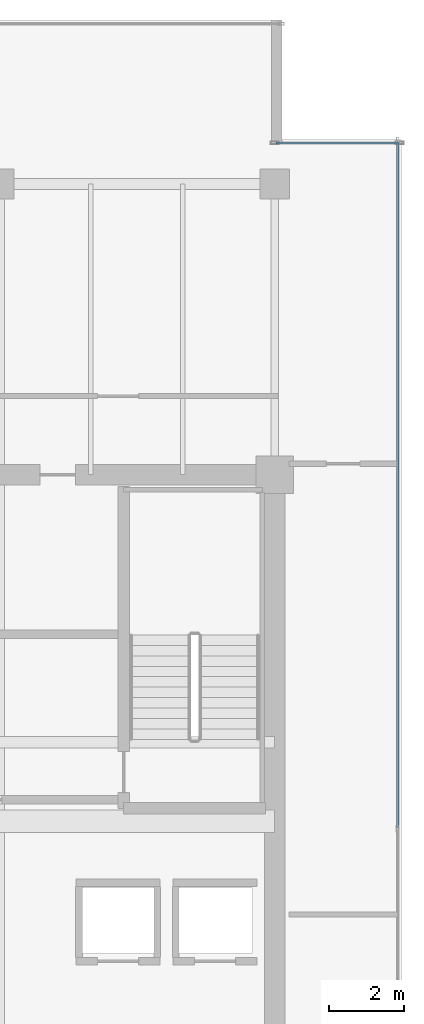
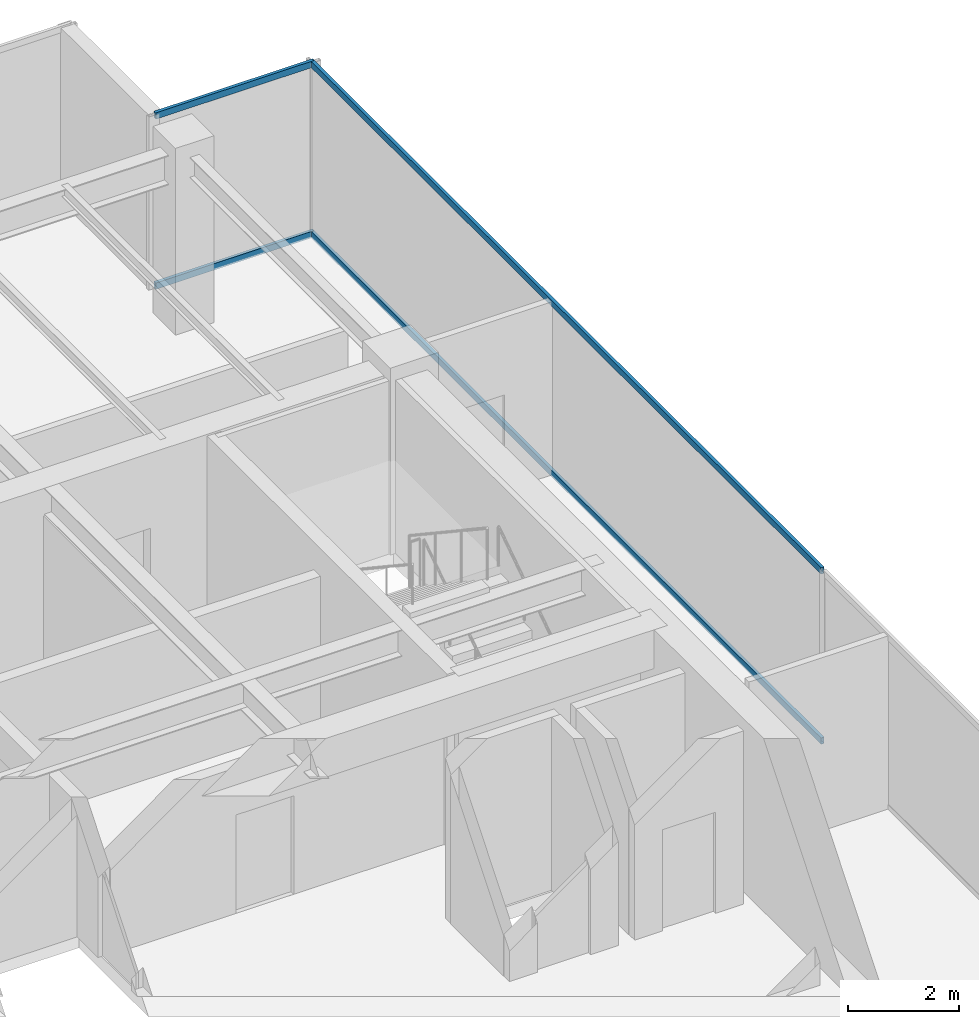
# One storey, part 25 of 33: 4 members, 2 elements without a shape of their own.
"""IFC4 building model written with IfcOpenShell, lengths in metres."""

from ifc_helpers import new_model, si_unit, direction, frame, origin, origin_2d, place, context, subcontext, project, spatial, hollow_rectangle, extrude, source, transform, mapped, material, layer, layer_set, material_profile, profile_set, type_object, type_shapes, element, aggregate, save


model = new_model("IFC4")

# Units and contexts
model_context = context("Model", 3, precision=1e-05, world=origin(), true_north=direction((0.0, 1.0)))
body_context = subcontext(model_context, "Body", "Model", "MODEL_VIEW")
ifc_project = project(units=[si_unit("LENGTHUNIT", "METRE"), si_unit("AREAUNIT", "SQUARE_METRE"), si_unit("VOLUMEUNIT", "CUBIC_METRE"), si_unit("PLANEANGLEUNIT", "RADIAN"), si_unit("MASSUNIT", "GRAM", prefix="KILO")], contexts=[model_context])

# Site, building, storey
site_placement = place(None, origin())
site = spatial("IfcSite", under=ifc_project, at=site_placement, CompositionType="ELEMENT")
building_placement = place(site_placement, origin())
building = spatial("IfcBuilding", under=site, at=building_placement, Name="Haelvirn Gate Laboratories", CompositionType="ELEMENT")
storey_placement = place(building_placement, frame((0.0, 0.0, 287.5)))
storey = spatial("IfcBuildingStorey", under=building, at=storey_placement, Name="L69", CompositionType="ELEMENT", Elevation=287.5)

# Curtain wall, members
ifc_material_1 = material(Name="Anodised bronze unitised aluminium & triple low-E glass", Category="aluminium")
ifc_layer_1 = layer(ifc_material_1, 0.181884765625, Name="CW-SYS-5")
ifc_layer_set_1 = layer_set([ifc_layer_1], Name="Anodised bronze unitised aluminium & triple low-E glass")
curtain_wall_type_1 = type_object("IfcCurtainWallType", Name="CW-SYS-5", PredefinedType="NOTDEFINED", material=ifc_layer_set_1)
curtain_wall_1_placement = place(storey_placement, origin())
curtain_wall_1 = element("IfcCurtainWall", 1, at=curtain_wall_1_placement, inside=storey, type_object=curtain_wall_type_1, Name="L69 Unitised Curtain Wall CW-L69-P0-E08-1", PredefinedType="NOTDEFINED")
ifc_material_2 = material(Name="Extruded aluminium 6063-T6 (anodised bronze)", Category="aluminium")
ifc_material_profile = material_profile(ifc_material_2, hollow_rectangle(XDim=0.06494140625, YDim=0.139892578125, WallThickness=0.00390625, at=origin_2d()), Name="CWT-140x65x4")
ifc_profile_set = profile_set([ifc_material_profile], Name="Extruded aluminium 6063-T6 (anodised bronze)")
member_type = type_object("IfcMemberType", Name="CWT-T140", PredefinedType="USERDEFINED", material=ifc_profile_set)
shared_shape_1 = source(origin(), body_context, "Body", "SweptSolid", [
    extrude(hollow_rectangle(XDim=0.06494140625, YDim=0.139892578125, WallThickness=0.00390625, at=origin_2d()), origin(), (0.0, 0.0, 1.0), 3.280029296875),
])
member_1_placement = place(storey_placement, frame((67.43994140625, 42.699951171875, 0.032470703125), z_axis=(1.0, 0.0, 0.0), x_axis=(0.0, 1.0, 0.0)))
member_1 = element("IfcMember", 2, at=member_1_placement, type_object=member_type, Name="CW5 transom 1.1", ObjectType="TRANSOM", PredefinedType="USERDEFINED", context=body_context, shape_type="MappedRepresentation", body=[
    mapped(shared_shape_1, transform((0.0, 0.0, 0.0), scale=1.0)),
])
member_2_placement = place(storey_placement, frame((67.43994140625, 42.699951171875, 3.767578125), z_axis=(1.0, 0.0, 0.0), x_axis=(0.0, 1.0, 0.0)))
member_2 = element("IfcMember", 3, at=member_2_placement, type_object=member_type, Name="CW5 transom 1.2", ObjectType="TRANSOM", PredefinedType="USERDEFINED", context=body_context, shape_type="MappedRepresentation", body=[
    mapped(shared_shape_1, transform((0.0, 0.0, 0.0), scale=1.0)),
])
aggregate(curtain_wall_1, [member_1, member_2])

ifc_layer_2 = layer(ifc_material_1, 0.176025390625, Name="CW-SYS-4")
ifc_layer_set_2 = layer_set([ifc_layer_2], Name="Anodised bronze unitised aluminium & triple low-E glass")
curtain_wall_type_2 = type_object("IfcCurtainWallType", Name="CW-SYS-4", PredefinedType="NOTDEFINED", material=ifc_layer_set_2)
curtain_wall_2_placement = place(storey_placement, origin())
curtain_wall_2 = element("IfcCurtainWall", 4, at=curtain_wall_2_placement, inside=storey, type_object=curtain_wall_type_2, Name="L69 Unitised Curtain Wall CW-L69-P0-E07", PredefinedType="NOTDEFINED")
shared_shape_2 = source(origin(), body_context, "Body", "SweptSolid", [
    extrude(hollow_rectangle(XDim=0.06494140625, YDim=0.139892578125, WallThickness=0.00390625, at=origin_2d()), origin(), (0.0, 0.0, 1.0), 18.39501953125),
])
type_shapes(member_type, [shared_shape_1, shared_shape_2])
member_3_placement = place(storey_placement, frame((70.699951171875, 24.3349609375, 0.032470703125), z_axis=(0.0, 1.0, 0.0), x_axis=(-1.0, 0.0, 0.0)))
member_3 = element("IfcMember", 5, at=member_3_placement, type_object=member_type, Name="CW4 transom 2.1", ObjectType="TRANSOM", PredefinedType="USERDEFINED", context=body_context, shape_type="MappedRepresentation", body=[
    mapped(shared_shape_2, transform((0.0, 0.0, 0.0), scale=1.0)),
])
member_4_placement = place(storey_placement, frame((70.699951171875, 24.3349609375, 3.767578125), z_axis=(0.0, 1.0, 0.0), x_axis=(-1.0, 0.0, 0.0)))
member_4 = element("IfcMember", 6, at=member_4_placement, type_object=member_type, Name="CW4 transom 2.2", ObjectType="TRANSOM", PredefinedType="USERDEFINED", context=body_context, shape_type="MappedRepresentation", body=[
    mapped(shared_shape_2, transform((0.0, 0.0, 0.0), scale=1.0)),
])
aggregate(curtain_wall_2, [member_3, member_4])

save(model, "model.ifc")
